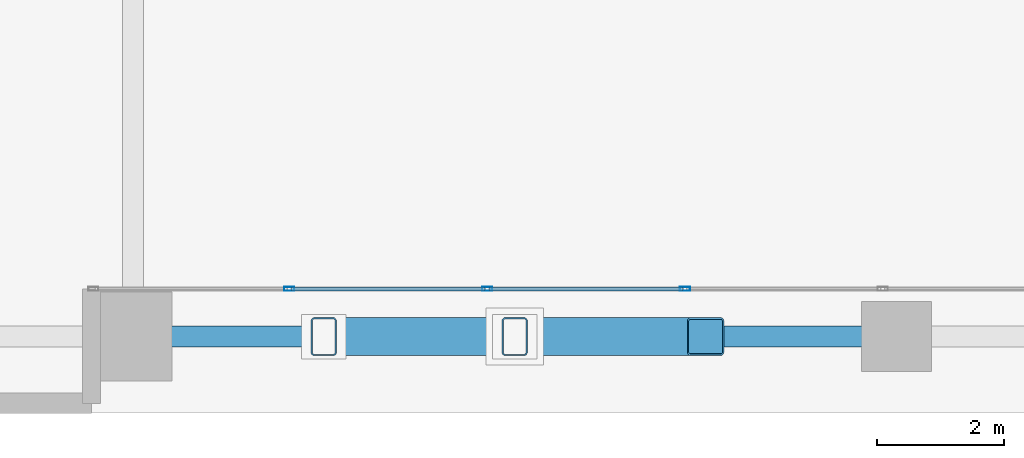
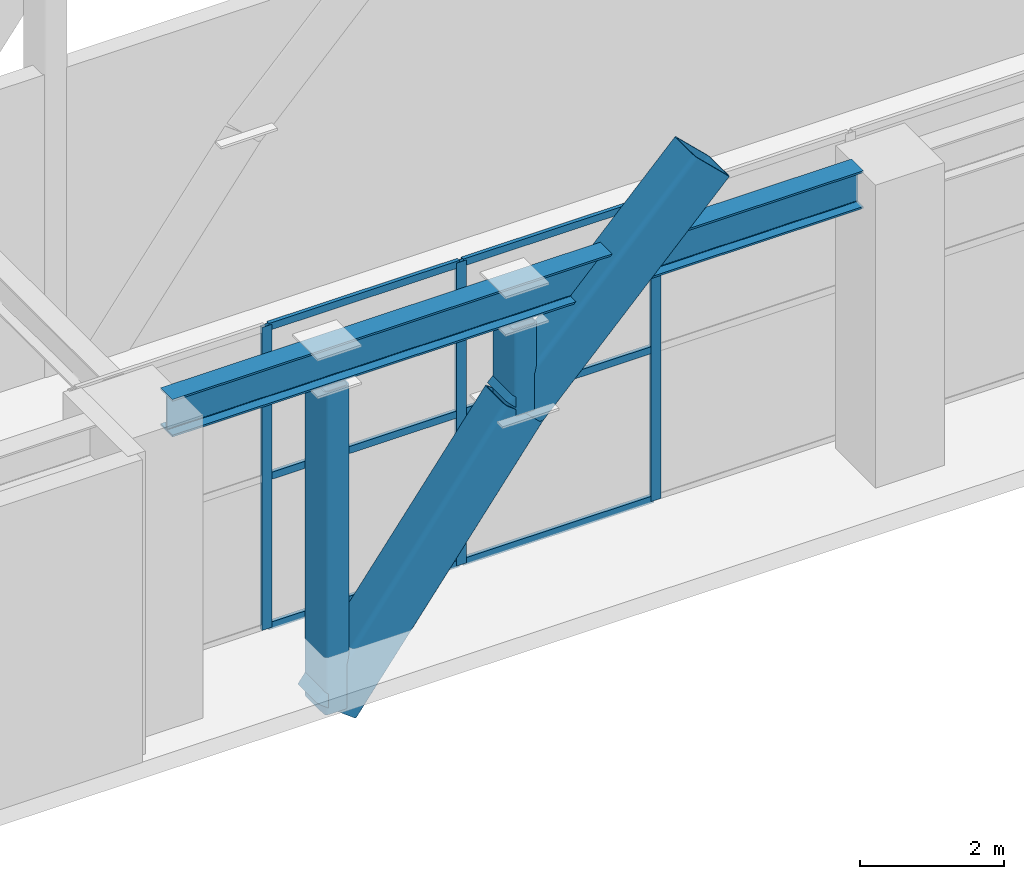
# One storey, part 4 of 28: 13 members, 1 beam, 1 element without a shape of its own.
"""IFC4 building model written with IfcOpenShell, lengths in metres."""

from ifc_helpers import new_model, si_unit, direction, frame, origin, origin_2d, place, context, subcontext, project, spatial, hollow_rectangle, i_section, extrude, material, layer, layer_set, material_profile, profile_set, type_object, element, aggregate, save


model = new_model("IFC4")

# Units and contexts
model_context = context("Model", 3, precision=1e-05, world=origin(), true_north=direction((0.0, 1.0)))
body_context = subcontext(model_context, "Body", "Model", "MODEL_VIEW")
ifc_project = project(units=[si_unit("LENGTHUNIT", "METRE"), si_unit("AREAUNIT", "SQUARE_METRE"), si_unit("VOLUMEUNIT", "CUBIC_METRE"), si_unit("PLANEANGLEUNIT", "RADIAN"), si_unit("MASSUNIT", "GRAM", prefix="KILO")], contexts=[model_context])

# Site, building, storey
site_placement = place(None, origin())
site = spatial("IfcSite", under=ifc_project, at=site_placement, CompositionType="ELEMENT")
building_placement = place(site_placement, origin())
building = spatial("IfcBuilding", under=site, at=building_placement, Name="Sarneth Arch Tower", CompositionType="ELEMENT")
storey_placement = place(building_placement, frame((0.0, 0.0, 6.0)))
storey = spatial("IfcBuildingStorey", under=building, at=storey_placement, Name="L01", CompositionType="ELEMENT", Elevation=6.0)

# Beam
ifc_material_1 = material(Name="Steel S355", Category="steel")
ifc_material_profile_1 = material_profile(ifc_material_1, i_section(OverallWidth=0.3291015625, OverallDepth=0.635009765625, WebThickness=0.017822265625, FlangeThickness=0.031005859375, FilletRadius=0.01904296875, at=origin_2d()), Name="W610x241")
ifc_profile_set_1 = profile_set([ifc_material_profile_1], Name="Steel S355")
beam_type = type_object("IfcBeamType", Name="BM-POD-610", PredefinedType="BEAM", material=ifc_profile_set_1)
beam_placement = place(storey_placement, frame((30.435546875, 9.199951171875, 4.802490234375), z_axis=(1.0, 0.0, 0.0), x_axis=(0.0, 1.0, 0.0)))
element("IfcBeam", 1, at=beam_placement, inside=storey, type_object=beam_type, Name="L01 Podium PS girder 3", PredefinedType="BEAM", context=body_context, shape_type="SweptSolid", body=[
    extrude(i_section(OverallWidth=0.3291015625, OverallDepth=0.635009765625, WebThickness=0.017822265625, FlangeThickness=0.031005859375, FilletRadius=0.01904296875, at=origin_2d()), origin(), (0.0, 0.0, 1.0), 11.04443359375),
])

# Curtain wall, members
ifc_material_2 = material(Name="Anodised aluminium Type AA25 and solar-control low-e laminated IGU", Category="aluminium")
ifc_layer = layer(ifc_material_2, 0.199951171875)
ifc_layer_set = layer_set([ifc_layer], Name="Anodised aluminium Type AA25 and solar-control low-e laminated IGU")
curtain_wall_type = type_object("IfcCurtainWallType", Name="CW-ARCH-GLAZE", PredefinedType="NOTDEFINED", material=ifc_layer_set)
curtain_wall_placement = place(storey_placement, origin())
curtain_wall = element("IfcCurtainWall", 2, at=curtain_wall_placement, inside=storey, type_object=curtain_wall_type, Name="L01 South parabolic arch portal curtain wall", PredefinedType="NOTDEFINED")
ifc_material_3 = material(Name="Anodised Aluminium 6063-T6", Category="aluminium")
ifc_material_profile_2 = material_profile(ifc_material_3, hollow_rectangle(XDim=0.06005859375, YDim=0.159912109375, WallThickness=0.00390625, at=origin_2d()), Name="AL-MULL-160x60x4")
ifc_profile_set_2 = profile_set([ifc_material_profile_2], Name="Anodised Aluminium 6063-T6")
member_type_1 = type_object("IfcMemberType", Name="CW-MULLION", PredefinedType="MULLION", material=ifc_profile_set_2)
member_1_placement = place(storey_placement, frame((32.458251953125, 9.949951171875, 0.0), z_axis=(0.0, 0.0, 1.0), x_axis=(0.0, 1.0, 0.0)))
member_1 = element("IfcMember", 3, at=member_1_placement, type_object=member_type_1, Name="CW-SYS-2 mullion 2", PredefinedType="MULLION", context=body_context, shape_type="SweptSolid", body=[
    extrude(hollow_rectangle(XDim=0.06005859375, YDim=0.159912109375, WallThickness=0.00390625, at=origin_2d()), origin(), (0.0, 0.0, 1.0), 5.1201171875),
])
member_2_placement = place(storey_placement, frame((35.566650390625, 9.949951171875, 0.0), z_axis=(0.0, 0.0, 1.0), x_axis=(0.0, 1.0, 0.0)))
member_2 = element("IfcMember", 4, at=member_2_placement, type_object=member_type_1, Name="CW-SYS-2 mullion 3", PredefinedType="MULLION", context=body_context, shape_type="SweptSolid", body=[
    extrude(hollow_rectangle(XDim=0.06005859375, YDim=0.159912109375, WallThickness=0.00390625, at=origin_2d()), origin(), (0.0, 0.0, 1.0), 5.1201171875),
])
member_3_placement = place(storey_placement, frame((38.675048828125, 9.949951171875, 0.0), z_axis=(0.0, 0.0, 1.0), x_axis=(0.0, 1.0, 0.0)))
member_3 = element("IfcMember", 5, at=member_3_placement, type_object=member_type_1, Name="CW-SYS-2 mullion 4", PredefinedType="MULLION", context=body_context, shape_type="SweptSolid", body=[
    extrude(hollow_rectangle(XDim=0.06005859375, YDim=0.159912109375, WallThickness=0.00390625, at=origin_2d()), origin(), (0.0, 0.0, 1.0), 5.1201171875),
])
ifc_material_4 = material(Name="Anodised Aluminium 6063-T6", Category="aluminium")
ifc_material_profile_3 = material_profile(ifc_material_4, hollow_rectangle(XDim=0.06005859375, YDim=0.1201171875, WallThickness=0.00390625, at=origin_2d()), Name="AL-TRAN-120x60x4")
ifc_profile_set_3 = profile_set([ifc_material_profile_3], Name="Anodised Aluminium 6063-T6")
member_type_2 = type_object("IfcMemberType", Name="CW-TRANSOM", PredefinedType="USERDEFINED", material=ifc_profile_set_3)
member_4_placement = place(storey_placement, frame((32.48828125, 9.949951171875, 0.030029296875), z_axis=(1.0, 0.0, 0.0), x_axis=(0.0, 1.0, 0.0)))
member_4 = element("IfcMember", 6, at=member_4_placement, type_object=member_type_2, Name="CW-SYS-2 transom 2.1", ObjectType="TRANSOM", PredefinedType="USERDEFINED", context=body_context, shape_type="SweptSolid", body=[
    extrude(hollow_rectangle(XDim=0.06005859375, YDim=0.1201171875, WallThickness=0.00390625, at=origin_2d()), origin(), (0.0, 0.0, 1.0), 3.04833984375),
])
member_5_placement = place(storey_placement, frame((32.48828125, 9.949951171875, 2.56005859375), z_axis=(1.0, 0.0, 0.0), x_axis=(0.0, 1.0, 0.0)))
member_5 = element("IfcMember", 7, at=member_5_placement, type_object=member_type_2, Name="CW-SYS-2 transom 2.2", ObjectType="TRANSOM", PredefinedType="USERDEFINED", context=body_context, shape_type="SweptSolid", body=[
    extrude(hollow_rectangle(XDim=0.06005859375, YDim=0.1201171875, WallThickness=0.00390625, at=origin_2d()), origin(), (0.0, 0.0, 1.0), 3.04833984375),
])
member_6_placement = place(storey_placement, frame((32.48828125, 9.949951171875, 5.090087890625), z_axis=(1.0, 0.0, 0.0), x_axis=(0.0, 1.0, 0.0)))
member_6 = element("IfcMember", 8, at=member_6_placement, type_object=member_type_2, Name="CW-SYS-2 transom 2.3", ObjectType="TRANSOM", PredefinedType="USERDEFINED", context=body_context, shape_type="SweptSolid", body=[
    extrude(hollow_rectangle(XDim=0.06005859375, YDim=0.1201171875, WallThickness=0.00390625, at=origin_2d()), origin(), (0.0, 0.0, 1.0), 3.04833984375),
])
member_7_placement = place(storey_placement, frame((35.5966796875, 9.949951171875, 0.030029296875), z_axis=(1.0, 0.0, 0.0), x_axis=(0.0, 1.0, 0.0)))
member_7 = element("IfcMember", 9, at=member_7_placement, type_object=member_type_2, Name="CW-SYS-2 transom 3.1", ObjectType="TRANSOM", PredefinedType="USERDEFINED", context=body_context, shape_type="SweptSolid", body=[
    extrude(hollow_rectangle(XDim=0.06005859375, YDim=0.1201171875, WallThickness=0.00390625, at=origin_2d()), origin(), (0.0, 0.0, 1.0), 3.04833984375),
])
member_8_placement = place(storey_placement, frame((35.5966796875, 9.949951171875, 2.56005859375), z_axis=(1.0, 0.0, 0.0), x_axis=(0.0, 1.0, 0.0)))
member_8 = element("IfcMember", 10, at=member_8_placement, type_object=member_type_2, Name="CW-SYS-2 transom 3.2", ObjectType="TRANSOM", PredefinedType="USERDEFINED", context=body_context, shape_type="SweptSolid", body=[
    extrude(hollow_rectangle(XDim=0.06005859375, YDim=0.1201171875, WallThickness=0.00390625, at=origin_2d()), origin(), (0.0, 0.0, 1.0), 3.04833984375),
])
member_9_placement = place(storey_placement, frame((35.5966796875, 9.949951171875, 5.090087890625), z_axis=(1.0, 0.0, 0.0), x_axis=(0.0, 1.0, 0.0)))
member_9 = element("IfcMember", 11, at=member_9_placement, type_object=member_type_2, Name="CW-SYS-2 transom 3.3", ObjectType="TRANSOM", PredefinedType="USERDEFINED", context=body_context, shape_type="SweptSolid", body=[
    extrude(hollow_rectangle(XDim=0.06005859375, YDim=0.1201171875, WallThickness=0.00390625, at=origin_2d()), origin(), (0.0, 0.0, 1.0), 3.04833984375),
])
aggregate(curtain_wall, [member_1, member_2, member_3, member_4, member_5, member_6, member_7, member_8, member_9])

# Members
ifc_material_5 = material(Name="Steel S355", Category="steel")
ifc_material_profile_4 = material_profile(ifc_material_5, hollow_rectangle(XDim=0.60009765625, YDim=0.800048828125, WallThickness=0.028076171875, InnerFilletRadius=0.0419921875, OuterFilletRadius=0.070068359375, at=origin_2d()), Name="RHS800x600x28")
ifc_profile_set_4 = profile_set([ifc_material_profile_4], Name="Steel S355")
member_type_3 = type_object("IfcMemberType", Name="MEM-ARCH-CHORD", PredefinedType="CHORD", material=ifc_profile_set_4)
member_10_placement = place(storey_placement, frame((33.0, 9.199951171875, -0.96875), z_axis=(0.60060981993, 0.0, 0.799542271681), x_axis=(0.0, 1.0, 0.0)))
element("IfcMember", 12, at=member_10_placement, inside=storey, type_object=member_type_3, Name="Podium parabolic arch rib 1 segment 2", PredefinedType="CHORD", context=body_context, shape_type="SweptSolid", body=[
    extrude(hollow_rectangle(XDim=0.60009765625, YDim=0.800048828125, WallThickness=0.028076171875, InnerFilletRadius=0.0419921875, OuterFilletRadius=0.070068359375, at=origin_2d()), origin(), (0.0, 0.0, 1.0), 4.994873046875),
])
member_11_placement = place(storey_placement, frame((36.0, 9.199951171875, 3.02490234375), z_axis=(0.694675220792, 0.0, 0.71932352778), x_axis=(0.0, 1.0, 0.0)))
element("IfcMember", 13, at=member_11_placement, inside=storey, type_object=member_type_3, Name="Podium parabolic arch rib 1 segment 3", PredefinedType="CHORD", context=body_context, shape_type="SweptSolid", body=[
    extrude(hollow_rectangle(XDim=0.60009765625, YDim=0.800048828125, WallThickness=0.028076171875, InnerFilletRadius=0.0419921875, OuterFilletRadius=0.070068359375, at=origin_2d()), origin(), (0.0, 0.0, 1.0), 4.318603515625),
])
ifc_material_6 = material(Name="Steel S355", Category="steel")
ifc_material_profile_5 = material_profile(ifc_material_6, hollow_rectangle(XDim=0.39990234375, YDim=0.60009765625, WallThickness=0.02197265625, InnerFilletRadius=0.032958984375, OuterFilletRadius=0.054931640625, at=origin_2d()), Name="RHS600x400x22")
ifc_profile_set_5 = profile_set([ifc_material_profile_5], Name="Steel S355")
member_type_4 = type_object("IfcMemberType", Name="MEM-ARCH-WEB", PredefinedType="BRACE", material=ifc_profile_set_5)
member_12_placement = place(storey_placement, frame((33.0, 9.199951171875, -0.96875), z_axis=(0.0, 0.0, 1.0), x_axis=(1.0, 0.0, 0.0)))
element("IfcMember", 14, at=member_12_placement, inside=storey, type_object=member_type_4, Name="Podium arch spandrel post 1.1A", PredefinedType="BRACE", context=body_context, shape_type="SweptSolid", body=[
    extrude(hollow_rectangle(XDim=0.39990234375, YDim=0.60009765625, WallThickness=0.02197265625, InnerFilletRadius=0.032958984375, OuterFilletRadius=0.054931640625, at=origin_2d()), origin(), (0.0, 0.0, 1.0), 5.453857421875),
])
member_13_placement = place(storey_placement, frame((36.0, 9.199951171875, 3.02490234375), z_axis=(0.0, 0.0, 1.0), x_axis=(1.0, 0.0, 0.0)))
element("IfcMember", 15, at=member_13_placement, inside=storey, type_object=member_type_4, Name="Podium arch spandrel post 1.2A", PredefinedType="BRACE", context=body_context, shape_type="SweptSolid", body=[
    extrude(hollow_rectangle(XDim=0.39990234375, YDim=0.60009765625, WallThickness=0.02197265625, InnerFilletRadius=0.032958984375, OuterFilletRadius=0.054931640625, at=origin_2d()), origin(), (0.0, 0.0, 1.0), 1.460205078125),
])

save(model, "model.ifc")
